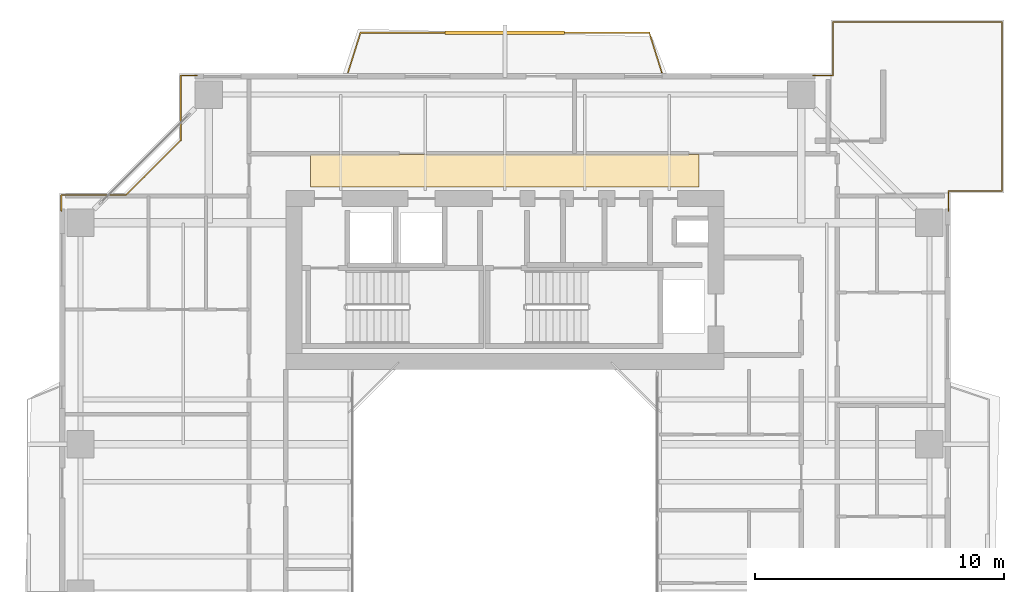
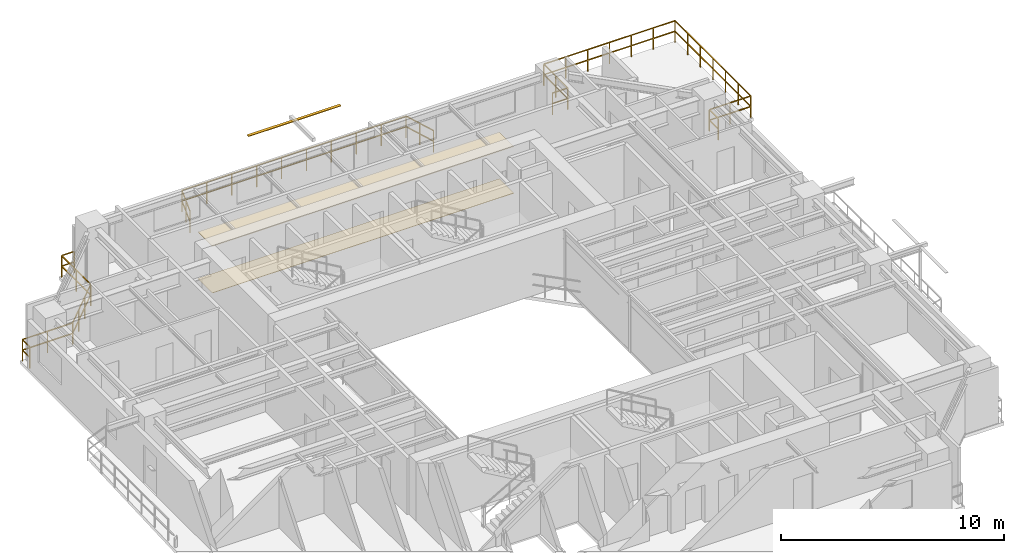
# One storey, part 17 of 17: 3 railings, 2 coverings, 1 shading device.
"""IFC4 building model written with IfcOpenShell, lengths in metres."""

import ifcopenshell
import ifcopenshell.guid

model = None  # the IFC model being written
_history = None  # IfcOwnerHistory: only IFC2X3 demands one
_inside = {}  # id of a spatial element -> (the spatial element, [elements in it])
_under = {}  # id of a project, library or spatial element -> (it, [spatial elements below it])
_declared = {}  # id of a project -> (the project, [libraries it declares])
_typed = {}  # id of a type object -> (the type object, [elements of that type])
_made_of = {}  # id of a material, layer set ... -> (it, [elements and type objects made of it])


def new_model(schema):
    """Start an empty IFC model of exactly this schema.

    Asked for "IFC4X3", IfcOpenShell would pick the latest addendum, in which some entities
    have other attributes; the version numbers below select the first issue.
    IFC2X3 requires an IfcOwnerHistory on every rooted entity: one is made here for all.
    """
    global model, _history
    if schema == "IFC4X3":
        model = ifcopenshell.file(schema_version=(4, 3, 0, 0))
    else:
        model = ifcopenshell.file(schema=schema)
    _inside.clear()
    _under.clear()
    _declared.clear()
    _typed.clear()
    _made_of.clear()
    _history = None
    if model.schema == "IFC2X3":
        org = make("IfcOrganization", Name="unknown")
        user = make(
            "IfcPersonAndOrganization",
            ThePerson=make("IfcPerson", FamilyName="unknown"),
            TheOrganization=org,
        )
        app = make(
            "IfcApplication",
            ApplicationDeveloper=org,
            Version="unknown",
            ApplicationFullName="unknown",
            ApplicationIdentifier="unknown",
        )
        _history = make(
            "IfcOwnerHistory",
            OwningUser=user,
            OwningApplication=app,
            ChangeAction="ADDED",
            CreationDate=0,
        )
    return model


def make(cls, **values):
    """One entity of the class cls with the attributes given. An attribute that is None is left unset."""
    return model.create_entity(
        cls, **{name: value for name, value in values.items() if value is not None}
    )


def rooted(cls, **values):
    """An entity with a GlobalId (a new one), such as an element, a storey or a relation."""
    return make(cls, GlobalId=ifcopenshell.guid.new(), OwnerHistory=_history, **values)


def si_unit(unit_type, name, prefix=None):
    """IfcSIUnit, for example si_unit("LENGTHUNIT", "METRE", prefix="MILLI")."""
    return make("IfcSIUnit", UnitType=unit_type, Prefix=prefix, Name=name)


def assignment(units):
    """IfcUnitAssignment: the units of a project."""
    return None if units is None else make("IfcUnitAssignment", Units=units)


def point(xyz):
    """IfcCartesianPoint."""
    return None if xyz is None else make("IfcCartesianPoint", Coordinates=xyz)


def direction(xyz):
    """IfcDirection."""
    return None if xyz is None else make("IfcDirection", DirectionRatios=xyz)


def frame(location, z_axis=None, x_axis=None):
    """IfcAxis2Placement3D, a coordinate frame: its origin and axes. An axis left out is left unset."""
    return make(
        "IfcAxis2Placement3D",
        Location=point(location),
        Axis=direction(z_axis),
        RefDirection=direction(x_axis),
    )


def frame_2d(location, x_axis=None):
    """IfcAxis2Placement2D, a coordinate frame in the plane: its origin and x axis."""
    return make(
        "IfcAxis2Placement2D", Location=point(location), RefDirection=direction(x_axis)
    )


def origin():
    """The frame at (0, 0, 0) with its axes left unset."""
    return frame((0.0, 0.0, 0.0))


def origin_2d():
    """The frame at (0, 0) in the plane with its x axis left unset."""
    return frame_2d((0.0, 0.0))


def place(relative_to, where):
    """IfcLocalPlacement: puts the frame where relative to a parent placement (None: the world)."""
    return make(
        "IfcLocalPlacement", PlacementRelTo=relative_to, RelativePlacement=where
    )


def context(
    kind, dimensions, precision=None, world=None, true_north=None, identifier=None
):
    """IfcGeometricRepresentationContext, for example the 3D "Model" context."""
    return make(
        "IfcGeometricRepresentationContext",
        ContextIdentifier=identifier,
        ContextType=kind,
        CoordinateSpaceDimension=dimensions,
        Precision=precision,
        WorldCoordinateSystem=world,
        TrueNorth=true_north,
    )


def subcontext(parent, identifier, kind, view, scale=None):
    """IfcGeometricRepresentationSubContext, for example "Body" below "Model"."""
    return make(
        "IfcGeometricRepresentationSubContext",
        ContextIdentifier=identifier,
        ContextType=kind,
        ParentContext=parent,
        TargetScale=scale,
        TargetView=view,
    )


def project(units=None, contexts=None):
    """IfcProject with its units and contexts."""
    return rooted(
        "IfcProject",
        Name="project",
        RepresentationContexts=contexts,
        UnitsInContext=assignment(units),
    )


def spatial(cls, under=None, at=None, **own):
    """A site, building, storey or space (cls), placed at a placement, below another one or the project."""
    s = rooted(cls, ObjectPlacement=at, **own)
    if under is not None:
        _under.setdefault(under.id(), (under, []))[1].append(s)
    return s


def polyline(points):
    """IfcPolyline through the points."""
    return make("IfcPolyline", Points=[point(p) for p in points])


def profile(cls, at=None, kind="AREA", **sizes):
    """A parametric profile (cls). Its sizes go by their IFC names, for example OverallWidth=200.0."""
    return make(cls, ProfileType=kind, Position=at, **sizes)


def rectangle(**sizes):
    """IfcRectangleProfileDef."""
    return profile("IfcRectangleProfileDef", **sizes)


def outline(outer, holes=None, kind="AREA"):
    """IfcArbitraryClosedProfileDef: a profile drawn as a closed curve; with holes, ...WithVoids."""
    if holes is None:
        return make("IfcArbitraryClosedProfileDef", ProfileType=kind, OuterCurve=outer)
    return make(
        "IfcArbitraryProfileDefWithVoids",
        ProfileType=kind,
        OuterCurve=outer,
        InnerCurves=holes,
    )


def extrude(swept, where, along, depth):
    """IfcExtrudedAreaSolid: the profile swept, set in the frame where, extruded along a direction by depth."""
    return make(
        "IfcExtrudedAreaSolid",
        SweptArea=swept,
        Position=where,
        ExtrudedDirection=direction(along),
        Depth=depth,
    )


def shape(context_of_items, identifier, shape_type, items):
    """IfcShapeRepresentation: the items that make up one representation, for example the "Body"."""
    return make(
        "IfcShapeRepresentation",
        ContextOfItems=context_of_items,
        RepresentationIdentifier=identifier,
        RepresentationType=shape_type,
        Items=items,
    )


def source(mapping_origin, context_of_items, identifier, shape_type, items):
    """IfcRepresentationMap: a shape defined once, which mapped items show again and again."""
    return make(
        "IfcRepresentationMap",
        MappingOrigin=mapping_origin,
        MappedRepresentation=shape(context_of_items, identifier, shape_type, items),
    )


def transform(
    local_origin,
    x_axis=None,
    y_axis=None,
    z_axis=None,
    scale=None,
    scale2=None,
    scale3=None,
    uniform=True,
):
    """IfcCartesianTransformationOperator3D, or its non-uniform kind. x_axis, y_axis, z_axis: its Axis1, 2, 3."""
    if uniform:
        return make(
            "IfcCartesianTransformationOperator3D",
            Axis1=direction(x_axis),
            Axis2=direction(y_axis),
            LocalOrigin=point(local_origin),
            Scale=scale,
            Axis3=direction(z_axis),
        )
    return make(
        "IfcCartesianTransformationOperator3DnonUniform",
        Axis1=direction(x_axis),
        Axis2=direction(y_axis),
        LocalOrigin=point(local_origin),
        Scale=scale,
        Axis3=direction(z_axis),
        Scale2=scale2,
        Scale3=scale3,
    )


def mapped(mapping_source, mapping_target):
    """IfcMappedItem: shows the shape of a source again, moved by a transform."""
    return make(
        "IfcMappedItem", MappingSource=mapping_source, MappingTarget=mapping_target
    )


def material(Name=None, Category=None):
    """IfcMaterial."""
    return make("IfcMaterial", Name=Name, Category=Category)


def layer(
    of_material, thickness, ventilated=None, Name=None, Category=None, Priority=None
):
    """IfcMaterialLayer: one layer of a wall or slab, of a material (None: an air gap)."""
    return make(
        "IfcMaterialLayer",
        Material=of_material,
        LayerThickness=thickness,
        IsVentilated=ventilated,
        Name=Name,
        Category=Category,
        Priority=Priority,
    )


def layer_set(layers, Name=None):
    """IfcMaterialLayerSet."""
    return make("IfcMaterialLayerSet", MaterialLayers=layers, LayerSetName=Name)


def material_profile(
    of_material, cross_section, Name=None, Category=None, Priority=None
):
    """IfcMaterialProfile: a cross section and its material."""
    return make(
        "IfcMaterialProfile",
        Name=Name,
        Material=of_material,
        Profile=cross_section,
        Priority=Priority,
        Category=Category,
    )


def profile_set(profiles, Name=None, composite=None):
    """IfcMaterialProfileSet."""
    return make(
        "IfcMaterialProfileSet",
        Name=Name,
        MaterialProfiles=profiles,
        CompositeProfile=composite,
    )


def made_of(thing, what):
    """Note that an element or type object is made of a material, layer set ...; save() writes the relation."""
    if what is not None:
        _made_of.setdefault(what.id(), (what, []))[1].append(thing)
    return thing


def type_object(cls, material=None, **own):
    """A type object (cls), such as IfcWallType, which elements share."""
    return made_of(rooted(cls, **own), material)


def element(
    cls,
    number,
    at=None,
    inside=None,
    cuts=None,
    type_object=None,
    material=None,
    context=None,
    identifier="Body",
    shape_type=None,
    held_by="IfcProductDefinitionShape",
    body=None,
    shapes=None,
    **own,
):
    """One element of the class cls, such as IfcWall. Its Tag is "e" and its number.

    at: its placement. inside: the storey or other place that contains it. cuts: it is an
    opening in that element (IfcRelVoidsElement). A single representation is given by context,
    identifier, shape_type and body (its items); several are given by shapes. held_by: the class
    of the entity that holds the representations. save() writes the other relations.
    """
    e = rooted(cls, Tag="e%d" % number, ObjectPlacement=at, **own)
    if body is not None:
        shapes = [shape(context, identifier, shape_type, body)]
    if shapes is not None:
        e.Representation = make(held_by, Representations=shapes)
    if inside is not None:
        _inside.setdefault(inside.id(), (inside, []))[1].append(e)
    if cuts is not None:
        rooted(
            "IfcRelVoidsElement", RelatingBuildingElement=cuts, RelatedOpeningElement=e
        )
    if type_object is not None:
        _typed.setdefault(type_object.id(), (type_object, []))[1].append(e)
    return made_of(e, material)


def aggregate(whole, parts):
    """IfcRelAggregates: a whole, such as a stair, and the parts it consists of."""
    return rooted("IfcRelAggregates", RelatingObject=whole, RelatedObjects=parts)


def save(model, path):
    """Write the relations noted so far, then the file.

    IfcRelAggregates (storeys below a building ...), IfcRelContainedInSpatialStructure (elements
    in a storey), IfcRelDefinesByType, IfcRelAssociatesMaterial and IfcRelDeclares: one each for
    every whole, place, type object, material and project.
    """
    for whole, parts in _under.values():
        aggregate(whole, parts)
    for where, things in _inside.values():
        rooted(
            "IfcRelContainedInSpatialStructure",
            RelatedElements=things,
            RelatingStructure=where,
        )
    for kind, things in _typed.values():
        rooted("IfcRelDefinesByType", RelatedObjects=things, RelatingType=kind)
    for what, things in _made_of.values():
        rooted("IfcRelAssociatesMaterial", RelatedObjects=things, RelatingMaterial=what)
    for by, libraries in _declared.values():
        rooted("IfcRelDeclares", RelatingContext=by, RelatedDefinitions=libraries)
    model.write(path)


model = new_model("IFC4")

# Units and contexts
model_context = context("Model", 3, precision=1e-05, world=origin(), true_north=direction((0.0, 1.0)))
body_context = subcontext(model_context, "Body", "Model", "MODEL_VIEW")
ifc_project = project(units=[si_unit("LENGTHUNIT", "METRE"), si_unit("AREAUNIT", "SQUARE_METRE"), si_unit("VOLUMEUNIT", "CUBIC_METRE"), si_unit("PLANEANGLEUNIT", "RADIAN"), si_unit("MASSUNIT", "GRAM", prefix="KILO"), si_unit("THERMODYNAMICTEMPERATUREUNIT", "KELVIN"), si_unit("POWERUNIT", "WATT")], contexts=[model_context])

# Site, building, storey
site_placement = place(None, origin())
site = spatial("IfcSite", under=ifc_project, at=site_placement, CompositionType="ELEMENT")
building_placement = place(site_placement, origin())
building = spatial("IfcBuilding", under=site, at=building_placement, Name="Qiaomeng Ring Towers", CompositionType="ELEMENT")
storey_placement = place(building_placement, frame((0.0, 0.0, 123.0)))
storey = spatial("IfcBuildingStorey", under=building, at=storey_placement, Name="L35", CompositionType="ELEMENT", Elevation=123.0)

# Coverings
ifc_material_1 = material(Name="Moisture-resistant gypsum ceiling board", Category="gypsum")
ifc_layer_1 = layer(ifc_material_1, 0.030029296875, Name="Moisture-resistant gypsum ceiling board")
ifc_layer_set_1 = layer_set([ifc_layer_1], Name="Moisture-resistant gypsum ceiling board")
covering_type_1 = type_object("IfcCoveringType", Name="ARC-COV-CEIL2", PredefinedType="CEILING", material=ifc_layer_set_1)
covering_1_placement = place(storey_placement, frame((0.0, 0.0, 2.550048828125)))
element("IfcCovering", 1, at=covering_1_placement, inside=storey, type_object=covering_type_1, Name="L35 Corridor Acoustic Ceiling", PredefinedType="CEILING", context=body_context, shape_type="SweptSolid", body=[
    extrude(outline(polyline([(11.199951171875, 36.35009765625), (11.199951171875, 37.64990234375), (26.800048828125, 37.64990234375), (26.800048828125, 36.35009765625), (11.199951171875, 36.35009765625)])), origin(), (0.0, 0.0, 1.0), 0.02490234375),
])
ifc_material_2 = material(Name="Vitrified porcelain floor tile", Category="ceramic")
ifc_layer_2 = layer(ifc_material_2, 0.02001953125, Name="Vitrified porcelain floor tile")
ifc_layer_set_2 = layer_set([ifc_layer_2], Name="Vitrified porcelain floor tile")
covering_type_2 = type_object("IfcCoveringType", Name="ARC-COV-FLR1", PredefinedType="FLOORING", material=ifc_layer_set_2)
covering_2_placement = place(storey_placement, origin())
element("IfcCovering", 2, at=covering_2_placement, inside=storey, type_object=covering_type_2, Name="L35 Corridor Stone Flooring", PredefinedType="FLOORING", context=body_context, shape_type="SweptSolid", body=[
    extrude(outline(polyline([(11.199951171875, 36.35009765625), (11.199951171875, 37.64990234375), (26.800048828125, 37.64990234375), (26.800048828125, 36.35009765625), (11.199951171875, 36.35009765625)])), origin(), (0.0, 0.0, 1.0), 0.02001953125),
])

# Railings
ifc_material_3 = material(Name="Low-E pale-green laminated safety glass", Category="glass")
railing_type = type_object("IfcRailingType", Name="ARC-RL-BAL1", PredefinedType="BALUSTRADE", material=ifc_material_3)
railing_1_placement = place(storey_placement, frame((36.820068359375, 35.3798828125, 0.0)))
element("IfcRailing", 3, at=railing_1_placement, inside=storey, type_object=railing_type, Name="L35 Balustrade ARC-BAL-L35-SPIRAL-NE", PredefinedType="BALUSTRADE", context=body_context, shape_type="SweptSolid", body=[
    extrude(rectangle(XDim=0.048095703125, YDim=0.048095703125, at=origin_2d()), frame((0.0, 0.0, 1.17578125), z_axis=(0.0, 1.0, 0.0), x_axis=(-1.0, 0.0, 0.0)), (0.0, 0.0, 1.0), 0.800048828125),
    extrude(rectangle(XDim=0.048095703125, YDim=0.048095703125, at=origin_2d()), frame((0.0, 0.0, 0.60009765625), z_axis=(0.0, 1.0, 0.0), x_axis=(-1.0, 0.0, 0.0)), (0.0, 0.0, 1.0), 0.800048828125),
    extrude(rectangle(XDim=0.048095703125, YDim=0.048095703125, at=origin_2d()), frame((0.0, 0.800048828125, 1.17578125), z_axis=(1.0, 0.0, 0.0), x_axis=(0.0, 1.0, 0.0)), (0.0, 0.0, 1.0), 2.14990234375),
    extrude(rectangle(XDim=0.048095703125, YDim=0.048095703125, at=origin_2d()), frame((0.0, 0.800048828125, 0.60009765625), z_axis=(1.0, 0.0, 0.0), x_axis=(0.0, 1.0, 0.0)), (0.0, 0.0, 1.0), 2.14990234375),
    extrude(rectangle(XDim=0.048095703125, YDim=0.048095703125, at=origin_2d()), frame((2.14990234375, 0.800048828125, 1.17578125), z_axis=(0.0, 1.0, 0.0), x_axis=(-1.0, 0.0, 0.0)), (0.0, 0.0, 1.0), 6.7900390625),
    extrude(rectangle(XDim=0.048095703125, YDim=0.048095703125, at=origin_2d()), frame((2.14990234375, 0.800048828125, 0.60009765625), z_axis=(0.0, 1.0, 0.0), x_axis=(-1.0, 0.0, 0.0)), (0.0, 0.0, 1.0), 6.7900390625),
    extrude(rectangle(XDim=0.048095703125, YDim=0.048095703125, at=origin_2d()), frame((2.14990234375, 7.590087890625, 1.17578125), z_axis=(-1.0, 0.0, 0.0), x_axis=(0.0, -1.0, 0.0)), (0.0, 0.0, 1.0), 6.7900390625),
    extrude(rectangle(XDim=0.048095703125, YDim=0.048095703125, at=origin_2d()), frame((2.14990234375, 7.590087890625, 0.60009765625), z_axis=(-1.0, 0.0, 0.0), x_axis=(0.0, -1.0, 0.0)), (0.0, 0.0, 1.0), 6.7900390625),
    extrude(rectangle(XDim=0.048095703125, YDim=0.048095703125, at=origin_2d()), frame((-4.64013671875, 7.590087890625, 1.17578125), z_axis=(0.0, -1.0, 0.0), x_axis=(1.0, 0.0, 0.0)), (0.0, 0.0, 1.0), 2.14990234375),
    extrude(rectangle(XDim=0.048095703125, YDim=0.048095703125, at=origin_2d()), frame((-4.64013671875, 7.590087890625, 0.60009765625), z_axis=(0.0, -1.0, 0.0), x_axis=(1.0, 0.0, 0.0)), (0.0, 0.0, 1.0), 2.14990234375),
    extrude(rectangle(XDim=0.048095703125, YDim=0.048095703125, at=origin_2d()), frame((-4.64013671875, 5.440185546875, 1.17578125), z_axis=(-1.0, 0.0, 0.0), x_axis=(0.0, -1.0, 0.0)), (0.0, 0.0, 1.0), 0.800048828125),
    extrude(rectangle(XDim=0.048095703125, YDim=0.048095703125, at=origin_2d()), frame((-4.64013671875, 5.440185546875, 0.60009765625), z_axis=(-1.0, 0.0, 0.0), x_axis=(0.0, -1.0, 0.0)), (0.0, 0.0, 1.0), 0.800048828125),
    extrude(rectangle(XDim=0.0419921875, YDim=0.0419921875, at=origin_2d()), origin(), (0.0, 0.0, 1.0), 1.15185546875),
    extrude(rectangle(XDim=0.0419921875, YDim=0.0419921875, at=origin_2d()), frame((0.0, 0.800048828125, 0.0)), (0.0, 0.0, 1.0), 1.15185546875),
    extrude(rectangle(XDim=0.0419921875, YDim=0.0419921875, at=origin_2d()), frame((1.074951171875, 0.800048828125, 0.0)), (0.0, 0.0, 1.0), 1.15185546875),
    extrude(rectangle(XDim=0.0419921875, YDim=0.0419921875, at=origin_2d()), frame((2.14990234375, 0.800048828125, 0.0)), (0.0, 0.0, 1.0), 1.15185546875),
    extrude(rectangle(XDim=0.0419921875, YDim=0.0419921875, at=origin_2d()), frame((2.14990234375, 1.931640625, 0.0)), (0.0, 0.0, 1.0), 1.15185546875),
    extrude(rectangle(XDim=0.0419921875, YDim=0.0419921875, at=origin_2d()), frame((2.14990234375, 3.0634765625, 0.0)), (0.0, 0.0, 1.0), 1.15185546875),
    extrude(rectangle(XDim=0.0419921875, YDim=0.0419921875, at=origin_2d()), frame((2.14990234375, 4.195068359375, 0.0)), (0.0, 0.0, 1.0), 1.15185546875),
    extrude(rectangle(XDim=0.0419921875, YDim=0.0419921875, at=origin_2d()), frame((2.14990234375, 5.32666015625, 0.0)), (0.0, 0.0, 1.0), 1.15185546875),
    extrude(rectangle(XDim=0.0419921875, YDim=0.0419921875, at=origin_2d()), frame((2.14990234375, 6.45849609375, 0.0)), (0.0, 0.0, 1.0), 1.15185546875),
    extrude(rectangle(XDim=0.0419921875, YDim=0.0419921875, at=origin_2d()), frame((2.14990234375, 7.590087890625, 0.0)), (0.0, 0.0, 1.0), 1.15185546875),
    extrude(rectangle(XDim=0.0419921875, YDim=0.0419921875, at=origin_2d()), frame((1.018310546875, 7.590087890625, 0.0)), (0.0, 0.0, 1.0), 1.15185546875),
    extrude(rectangle(XDim=0.0419921875, YDim=0.0419921875, at=origin_2d()), frame((-0.113525390625, 7.590087890625, 0.0)), (0.0, 0.0, 1.0), 1.15185546875),
    extrude(rectangle(XDim=0.0419921875, YDim=0.0419921875, at=origin_2d()), frame((-1.2451171875, 7.590087890625, 0.0)), (0.0, 0.0, 1.0), 1.15185546875),
    extrude(rectangle(XDim=0.0419921875, YDim=0.0419921875, at=origin_2d()), frame((-2.376708984375, 7.590087890625, 0.0)), (0.0, 0.0, 1.0), 1.15185546875),
    extrude(rectangle(XDim=0.0419921875, YDim=0.0419921875, at=origin_2d()), frame((-3.508544921875, 7.590087890625, 0.0)), (0.0, 0.0, 1.0), 1.15185546875),
    extrude(rectangle(XDim=0.0419921875, YDim=0.0419921875, at=origin_2d()), frame((-4.64013671875, 7.590087890625, 0.0)), (0.0, 0.0, 1.0), 1.15185546875),
    extrude(rectangle(XDim=0.0419921875, YDim=0.0419921875, at=origin_2d()), frame((-4.64013671875, 6.51513671875, 0.0)), (0.0, 0.0, 1.0), 1.15185546875),
    extrude(rectangle(XDim=0.0419921875, YDim=0.0419921875, at=origin_2d()), frame((-4.64013671875, 5.440185546875, 0.0)), (0.0, 0.0, 1.0), 1.15185546875),
    extrude(rectangle(XDim=0.0419921875, YDim=0.0419921875, at=origin_2d()), frame((-5.440185546875, 5.440185546875, 0.0)), (0.0, 0.0, 1.0), 1.15185546875),
])
railing_2_placement = place(storey_placement, frame((6.6298828125, 40.820068359375, 0.0)))
element("IfcRailing", 4, at=railing_2_placement, inside=storey, type_object=railing_type, Name="L35 Balustrade ARC-BAL-NOTCH1-L35-NW", PredefinedType="BALUSTRADE", context=body_context, shape_type="SweptSolid", body=[
    extrude(rectangle(XDim=0.048095703125, YDim=0.048095703125, at=origin_2d()), frame((0.0, 0.0, 1.17578125), z_axis=(-1.0, 0.0, 0.0), x_axis=(0.0, -1.0, 0.0)), (0.0, 0.0, 1.0), 0.64990234375),
    extrude(rectangle(XDim=0.048095703125, YDim=0.048095703125, at=origin_2d()), frame((0.0, 0.0, 0.60009765625), z_axis=(-1.0, 0.0, 0.0), x_axis=(0.0, -1.0, 0.0)), (0.0, 0.0, 1.0), 0.64990234375),
    extrude(rectangle(XDim=0.048095703125, YDim=0.048095703125, at=origin_2d()), frame((-0.64990234375, 0.0, 1.17578125), z_axis=(0.0, -1.0, 0.0), x_axis=(1.0, 0.0, 0.0)), (0.0, 0.0, 1.0), 2.60009765625),
    extrude(rectangle(XDim=0.048095703125, YDim=0.048095703125, at=origin_2d()), frame((-0.64990234375, 0.0, 0.60009765625), z_axis=(0.0, -1.0, 0.0), x_axis=(1.0, 0.0, 0.0)), (0.0, 0.0, 1.0), 2.60009765625),
    extrude(rectangle(XDim=0.048095703125, YDim=0.048095703125, at=origin_2d()), frame((-0.64990234375, -2.60009765625, 1.17578125), z_axis=(-0.707106781187, -0.707106781187, 0.0), x_axis=(0.707106781187, -0.707106781187, 0.0)), (0.0, 0.0, 1.0), 3.111083984375),
    extrude(rectangle(XDim=0.048095703125, YDim=0.048095703125, at=origin_2d()), frame((-0.64990234375, -2.60009765625, 0.60009765625), z_axis=(-0.707106781187, -0.707106781187, 0.0), x_axis=(0.707106781187, -0.707106781187, 0.0)), (0.0, 0.0, 1.0), 3.111083984375),
    extrude(rectangle(XDim=0.048095703125, YDim=0.048095703125, at=origin_2d()), frame((-2.849853515625, -4.800048828125, 1.17578125), z_axis=(-1.0, 0.0, 0.0), x_axis=(0.0, -1.0, 0.0)), (0.0, 0.0, 1.0), 2.60009765625),
    extrude(rectangle(XDim=0.048095703125, YDim=0.048095703125, at=origin_2d()), frame((-2.849853515625, -4.800048828125, 0.60009765625), z_axis=(-1.0, 0.0, 0.0), x_axis=(0.0, -1.0, 0.0)), (0.0, 0.0, 1.0), 2.60009765625),
    extrude(rectangle(XDim=0.048095703125, YDim=0.048095703125, at=origin_2d()), frame((-5.449951171875, -4.800048828125, 1.17578125), z_axis=(0.0, -1.0, 0.0), x_axis=(1.0, 0.0, 0.0)), (0.0, 0.0, 1.0), 0.64990234375),
    extrude(rectangle(XDim=0.048095703125, YDim=0.048095703125, at=origin_2d()), frame((-5.449951171875, -4.800048828125, 0.60009765625), z_axis=(0.0, -1.0, 0.0), x_axis=(1.0, 0.0, 0.0)), (0.0, 0.0, 1.0), 0.64990234375),
    extrude(rectangle(XDim=0.0419921875, YDim=0.0419921875, at=origin_2d()), origin(), (0.0, 0.0, 1.0), 1.15185546875),
    extrude(rectangle(XDim=0.0419921875, YDim=0.0419921875, at=origin_2d()), frame((-0.64990234375, 0.0, 0.0)), (0.0, 0.0, 1.0), 1.15185546875),
    extrude(rectangle(XDim=0.0419921875, YDim=0.0419921875, at=origin_2d()), frame((-0.64990234375, -1.300048828125, 0.0)), (0.0, 0.0, 1.0), 1.15185546875),
    extrude(rectangle(XDim=0.0419921875, YDim=0.0419921875, at=origin_2d()), frame((-0.64990234375, -2.60009765625, 0.0)), (0.0, 0.0, 1.0), 1.15185546875),
    extrude(rectangle(XDim=0.0419921875, YDim=0.0419921875, at=origin_2d()), frame((-1.38330078125, -3.33349609375, 0.0)), (0.0, 0.0, 1.0), 1.15185546875),
    extrude(rectangle(XDim=0.0419921875, YDim=0.0419921875, at=origin_2d()), frame((-2.116455078125, -4.066650390625, 0.0)), (0.0, 0.0, 1.0), 1.15185546875),
    extrude(rectangle(XDim=0.0419921875, YDim=0.0419921875, at=origin_2d()), frame((-2.849853515625, -4.800048828125, 0.0)), (0.0, 0.0, 1.0), 1.15185546875),
    extrude(rectangle(XDim=0.0419921875, YDim=0.0419921875, at=origin_2d()), frame((-4.14990234375, -4.800048828125, 0.0)), (0.0, 0.0, 1.0), 1.15185546875),
    extrude(rectangle(XDim=0.0419921875, YDim=0.0419921875, at=origin_2d()), frame((-5.449951171875, -4.800048828125, 0.0)), (0.0, 0.0, 1.0), 1.15185546875),
    extrude(rectangle(XDim=0.0419921875, YDim=0.0419921875, at=origin_2d()), frame((-5.449951171875, -5.449951171875, 0.0)), (0.0, 0.0, 1.0), 1.15185546875),
])
railing_3_placement = place(storey_placement, frame((12.699951171875, 40.949951171875, 0.0)))
element("IfcRailing", 5, at=railing_3_placement, inside=storey, type_object=railing_type, Name="L35 Balustrade ARC-BAL-L35-T1-N", PredefinedType="BALUSTRADE", context=body_context, shape_type="SweptSolid", body=[
    extrude(rectangle(XDim=0.048095703125, YDim=0.048095703125, at=origin_2d()), frame((0.0, 0.0, 1.17578125), z_axis=(0.299967512283, 0.953949417723, 0.0), x_axis=(-0.953949417723, 0.299967512283, 0.0)), (0.0, 0.0, 1.0), 1.666748046875),
    extrude(rectangle(XDim=0.048095703125, YDim=0.048095703125, at=origin_2d()), frame((0.0, 0.0, 0.60009765625), z_axis=(0.299967512283, 0.953949417723, 0.0), x_axis=(-0.953949417723, 0.299967512283, 0.0)), (0.0, 0.0, 1.0), 1.666748046875),
    extrude(rectangle(XDim=0.048095703125, YDim=0.048095703125, at=origin_2d()), frame((0.5, 1.590087890625, 1.17578125), z_axis=(1.0, 0.0, 0.0), x_axis=(0.0, 1.0, 0.0)), (0.0, 0.0, 1.0), 11.60009765625),
    extrude(rectangle(XDim=0.048095703125, YDim=0.048095703125, at=origin_2d()), frame((0.5, 1.590087890625, 0.60009765625), z_axis=(1.0, 0.0, 0.0), x_axis=(0.0, 1.0, 0.0)), (0.0, 0.0, 1.0), 11.60009765625),
    extrude(rectangle(XDim=0.048095703125, YDim=0.048095703125, at=origin_2d()), frame((12.10009765625, 1.590087890625, 1.17578125), z_axis=(0.299967512283, -0.953949417723, 0.0), x_axis=(0.953949417723, 0.299967512283, 0.0)), (0.0, 0.0, 1.0), 1.666748046875),
    extrude(rectangle(XDim=0.048095703125, YDim=0.048095703125, at=origin_2d()), frame((12.10009765625, 1.590087890625, 0.60009765625), z_axis=(0.299967512283, -0.953949417723, 0.0), x_axis=(0.953949417723, 0.299967512283, 0.0)), (0.0, 0.0, 1.0), 1.666748046875),
    extrude(rectangle(XDim=0.0419921875, YDim=0.0419921875, at=origin_2d()), origin(), (0.0, 0.0, 1.0), 1.15185546875),
    extrude(rectangle(XDim=0.0419921875, YDim=0.0419921875, at=origin_2d()), frame((0.25, 0.794921875, 0.0)), (0.0, 0.0, 1.0), 1.15185546875),
    extrude(rectangle(XDim=0.0419921875, YDim=0.0419921875, at=origin_2d()), frame((0.5, 1.590087890625, 0.0)), (0.0, 0.0, 1.0), 1.15185546875),
    extrude(rectangle(XDim=0.0419921875, YDim=0.0419921875, at=origin_2d()), frame((1.788818359375, 1.590087890625, 0.0)), (0.0, 0.0, 1.0), 1.15185546875),
    extrude(rectangle(XDim=0.0419921875, YDim=0.0419921875, at=origin_2d()), frame((3.077880859375, 1.590087890625, 0.0)), (0.0, 0.0, 1.0), 1.15185546875),
    extrude(rectangle(XDim=0.0419921875, YDim=0.0419921875, at=origin_2d()), frame((4.36669921875, 1.590087890625, 0.0)), (0.0, 0.0, 1.0), 1.15185546875),
    extrude(rectangle(XDim=0.0419921875, YDim=0.0419921875, at=origin_2d()), frame((5.655517578125, 1.590087890625, 0.0)), (0.0, 0.0, 1.0), 1.15185546875),
    extrude(rectangle(XDim=0.0419921875, YDim=0.0419921875, at=origin_2d()), frame((6.944580078125, 1.590087890625, 0.0)), (0.0, 0.0, 1.0), 1.15185546875),
    extrude(rectangle(XDim=0.0419921875, YDim=0.0419921875, at=origin_2d()), frame((8.2333984375, 1.590087890625, 0.0)), (0.0, 0.0, 1.0), 1.15185546875),
    extrude(rectangle(XDim=0.0419921875, YDim=0.0419921875, at=origin_2d()), frame((9.522216796875, 1.590087890625, 0.0)), (0.0, 0.0, 1.0), 1.15185546875),
    extrude(rectangle(XDim=0.0419921875, YDim=0.0419921875, at=origin_2d()), frame((10.811279296875, 1.590087890625, 0.0)), (0.0, 0.0, 1.0), 1.15185546875),
    extrude(rectangle(XDim=0.0419921875, YDim=0.0419921875, at=origin_2d()), frame((12.10009765625, 1.590087890625, 0.0)), (0.0, 0.0, 1.0), 1.15185546875),
    extrude(rectangle(XDim=0.0419921875, YDim=0.0419921875, at=origin_2d()), frame((12.35009765625, 0.794921875, 0.0)), (0.0, 0.0, 1.0), 1.15185546875),
    extrude(rectangle(XDim=0.0419921875, YDim=0.0419921875, at=origin_2d()), frame((12.60009765625, 0.0, 0.0)), (0.0, 0.0, 1.0), 1.15185546875),
])

# Shading device
ifc_material_4 = material(Name="Fluorocarbon dark-grey aluminium", Category="aluminium")
ifc_material_profile = material_profile(ifc_material_4, rectangle(XDim=0.14990234375, YDim=0.034912109375, at=origin_2d()), Name="LV BLADE 150x35")
ifc_profile_set = profile_set([ifc_material_profile], Name="Fluorocarbon dark-grey aluminium")
shading_device_type = type_object("IfcShadingDeviceType", Name="ARC-SHD-SUN", PredefinedType="AWNING", material=ifc_profile_set)
shared_shape = source(origin(), body_context, "Body", "SweptSolid", [
    extrude(rectangle(XDim=0.14990234375, YDim=0.034912109375, at=origin_2d()), origin(), (0.0, 0.0, 1.0), 4.7998046875),
])
shading_device_placement = place(storey_placement, frame((16.60009765625, 42.5400390625, 2.969970703125), z_axis=(1.0, 0.0, 0.0), x_axis=(0.0, 1.0, 0.0)))
element("IfcShadingDevice", 6, at=shading_device_placement, inside=storey, type_object=shading_device_type, Name="L35 Ventilated Outer-Skin Sunshade N", PredefinedType="AWNING", context=body_context, shape_type="MappedRepresentation", body=[
    mapped(shared_shape, transform((0.0, 0.0, 0.0), x_axis=(1.0, 0.0, 0.0), y_axis=(0.0, 1.0, 0.0), z_axis=(0.0, 0.0, 1.0), scale=1.0)),
])

save(model, "model.ifc")
